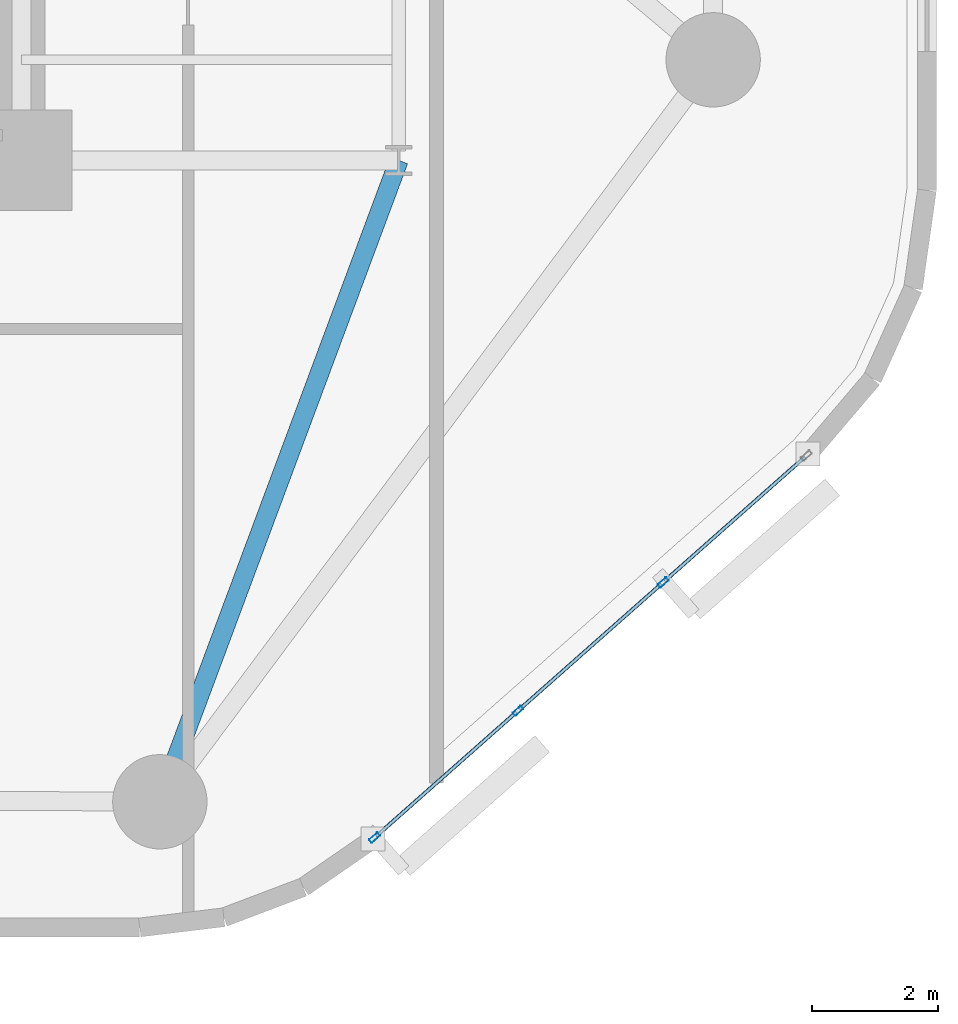
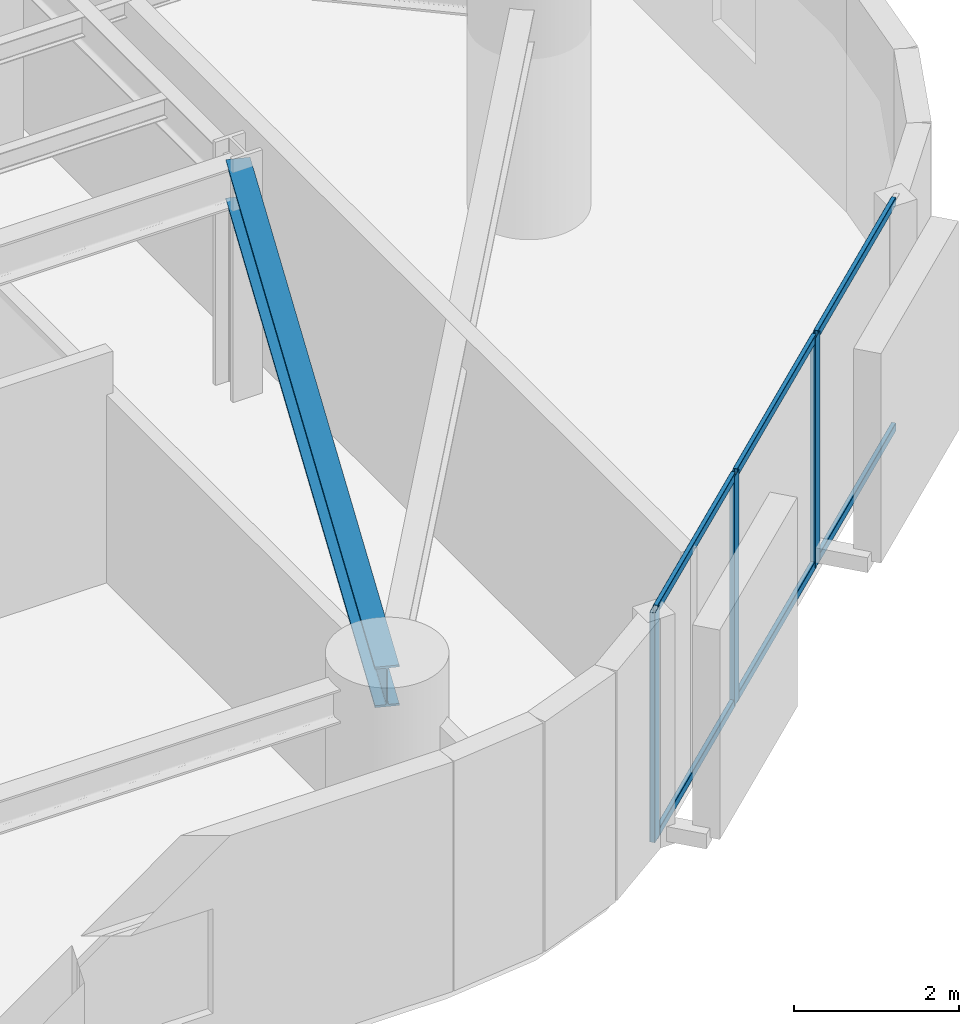
# One storey, part 2 of 17: 9 members, 1 beam, 1 element without a shape of its own.
"""IFC4 building model written with IfcOpenShell, lengths in metres."""

import ifcopenshell
import ifcopenshell.guid

model = None  # the IFC model being written
_history = None  # IfcOwnerHistory: only IFC2X3 demands one
_inside = {}  # id of a spatial element -> (the spatial element, [elements in it])
_under = {}  # id of a project, library or spatial element -> (it, [spatial elements below it])
_declared = {}  # id of a project -> (the project, [libraries it declares])
_typed = {}  # id of a type object -> (the type object, [elements of that type])
_made_of = {}  # id of a material, layer set ... -> (it, [elements and type objects made of it])


def new_model(schema):
    """Start an empty IFC model of exactly this schema.

    Asked for "IFC4X3", IfcOpenShell would pick the latest addendum, in which some entities
    have other attributes; the version numbers below select the first issue.
    IFC2X3 requires an IfcOwnerHistory on every rooted entity: one is made here for all.
    """
    global model, _history
    if schema == "IFC4X3":
        model = ifcopenshell.file(schema_version=(4, 3, 0, 0))
    else:
        model = ifcopenshell.file(schema=schema)
    _inside.clear()
    _under.clear()
    _declared.clear()
    _typed.clear()
    _made_of.clear()
    _history = None
    if model.schema == "IFC2X3":
        org = make("IfcOrganization", Name="unknown")
        user = make(
            "IfcPersonAndOrganization",
            ThePerson=make("IfcPerson", FamilyName="unknown"),
            TheOrganization=org,
        )
        app = make(
            "IfcApplication",
            ApplicationDeveloper=org,
            Version="unknown",
            ApplicationFullName="unknown",
            ApplicationIdentifier="unknown",
        )
        _history = make(
            "IfcOwnerHistory",
            OwningUser=user,
            OwningApplication=app,
            ChangeAction="ADDED",
            CreationDate=0,
        )
    return model


def make(cls, **values):
    """One entity of the class cls with the attributes given. An attribute that is None is left unset."""
    return model.create_entity(
        cls, **{name: value for name, value in values.items() if value is not None}
    )


def rooted(cls, **values):
    """An entity with a GlobalId (a new one), such as an element, a storey or a relation."""
    return make(cls, GlobalId=ifcopenshell.guid.new(), OwnerHistory=_history, **values)


def si_unit(unit_type, name, prefix=None):
    """IfcSIUnit, for example si_unit("LENGTHUNIT", "METRE", prefix="MILLI")."""
    return make("IfcSIUnit", UnitType=unit_type, Prefix=prefix, Name=name)


def assignment(units):
    """IfcUnitAssignment: the units of a project."""
    return None if units is None else make("IfcUnitAssignment", Units=units)


def point(xyz):
    """IfcCartesianPoint."""
    return None if xyz is None else make("IfcCartesianPoint", Coordinates=xyz)


def direction(xyz):
    """IfcDirection."""
    return None if xyz is None else make("IfcDirection", DirectionRatios=xyz)


def frame(location, z_axis=None, x_axis=None):
    """IfcAxis2Placement3D, a coordinate frame: its origin and axes. An axis left out is left unset."""
    return make(
        "IfcAxis2Placement3D",
        Location=point(location),
        Axis=direction(z_axis),
        RefDirection=direction(x_axis),
    )


def frame_2d(location, x_axis=None):
    """IfcAxis2Placement2D, a coordinate frame in the plane: its origin and x axis."""
    return make(
        "IfcAxis2Placement2D", Location=point(location), RefDirection=direction(x_axis)
    )


def origin():
    """The frame at (0, 0, 0) with its axes left unset."""
    return frame((0.0, 0.0, 0.0))


def origin_2d():
    """The frame at (0, 0) in the plane with its x axis left unset."""
    return frame_2d((0.0, 0.0))


def place(relative_to, where):
    """IfcLocalPlacement: puts the frame where relative to a parent placement (None: the world)."""
    return make(
        "IfcLocalPlacement", PlacementRelTo=relative_to, RelativePlacement=where
    )


def context(
    kind, dimensions, precision=None, world=None, true_north=None, identifier=None
):
    """IfcGeometricRepresentationContext, for example the 3D "Model" context."""
    return make(
        "IfcGeometricRepresentationContext",
        ContextIdentifier=identifier,
        ContextType=kind,
        CoordinateSpaceDimension=dimensions,
        Precision=precision,
        WorldCoordinateSystem=world,
        TrueNorth=true_north,
    )


def subcontext(parent, identifier, kind, view, scale=None):
    """IfcGeometricRepresentationSubContext, for example "Body" below "Model"."""
    return make(
        "IfcGeometricRepresentationSubContext",
        ContextIdentifier=identifier,
        ContextType=kind,
        ParentContext=parent,
        TargetScale=scale,
        TargetView=view,
    )


def project(units=None, contexts=None):
    """IfcProject with its units and contexts."""
    return rooted(
        "IfcProject",
        Name="project",
        RepresentationContexts=contexts,
        UnitsInContext=assignment(units),
    )


def spatial(cls, under=None, at=None, **own):
    """A site, building, storey or space (cls), placed at a placement, below another one or the project."""
    s = rooted(cls, ObjectPlacement=at, **own)
    if under is not None:
        _under.setdefault(under.id(), (under, []))[1].append(s)
    return s


def profile(cls, at=None, kind="AREA", **sizes):
    """A parametric profile (cls). Its sizes go by their IFC names, for example OverallWidth=200.0."""
    return make(cls, ProfileType=kind, Position=at, **sizes)


def hollow_rectangle(**sizes):
    """IfcRectangleHollowProfileDef."""
    return profile("IfcRectangleHollowProfileDef", **sizes)


def i_section(**sizes):
    """IfcIShapeProfileDef."""
    return profile("IfcIShapeProfileDef", **sizes)


def extrude(swept, where, along, depth):
    """IfcExtrudedAreaSolid: the profile swept, set in the frame where, extruded along a direction by depth."""
    return make(
        "IfcExtrudedAreaSolid",
        SweptArea=swept,
        Position=where,
        ExtrudedDirection=direction(along),
        Depth=depth,
    )


def shape(context_of_items, identifier, shape_type, items):
    """IfcShapeRepresentation: the items that make up one representation, for example the "Body"."""
    return make(
        "IfcShapeRepresentation",
        ContextOfItems=context_of_items,
        RepresentationIdentifier=identifier,
        RepresentationType=shape_type,
        Items=items,
    )


def material(Name=None, Category=None):
    """IfcMaterial."""
    return make("IfcMaterial", Name=Name, Category=Category)


def layer(
    of_material, thickness, ventilated=None, Name=None, Category=None, Priority=None
):
    """IfcMaterialLayer: one layer of a wall or slab, of a material (None: an air gap)."""
    return make(
        "IfcMaterialLayer",
        Material=of_material,
        LayerThickness=thickness,
        IsVentilated=ventilated,
        Name=Name,
        Category=Category,
        Priority=Priority,
    )


def layer_set(layers, Name=None):
    """IfcMaterialLayerSet."""
    return make("IfcMaterialLayerSet", MaterialLayers=layers, LayerSetName=Name)


def material_profile(
    of_material, cross_section, Name=None, Category=None, Priority=None
):
    """IfcMaterialProfile: a cross section and its material."""
    return make(
        "IfcMaterialProfile",
        Name=Name,
        Material=of_material,
        Profile=cross_section,
        Priority=Priority,
        Category=Category,
    )


def profile_set(profiles, Name=None, composite=None):
    """IfcMaterialProfileSet."""
    return make(
        "IfcMaterialProfileSet",
        Name=Name,
        MaterialProfiles=profiles,
        CompositeProfile=composite,
    )


def made_of(thing, what):
    """Note that an element or type object is made of a material, layer set ...; save() writes the relation."""
    if what is not None:
        _made_of.setdefault(what.id(), (what, []))[1].append(thing)
    return thing


def type_object(cls, material=None, **own):
    """A type object (cls), such as IfcWallType, which elements share."""
    return made_of(rooted(cls, **own), material)


def element(
    cls,
    number,
    at=None,
    inside=None,
    cuts=None,
    type_object=None,
    material=None,
    context=None,
    identifier="Body",
    shape_type=None,
    held_by="IfcProductDefinitionShape",
    body=None,
    shapes=None,
    **own,
):
    """One element of the class cls, such as IfcWall. Its Tag is "e" and its number.

    at: its placement. inside: the storey or other place that contains it. cuts: it is an
    opening in that element (IfcRelVoidsElement). A single representation is given by context,
    identifier, shape_type and body (its items); several are given by shapes. held_by: the class
    of the entity that holds the representations. save() writes the other relations.
    """
    e = rooted(cls, Tag="e%d" % number, ObjectPlacement=at, **own)
    if body is not None:
        shapes = [shape(context, identifier, shape_type, body)]
    if shapes is not None:
        e.Representation = make(held_by, Representations=shapes)
    if inside is not None:
        _inside.setdefault(inside.id(), (inside, []))[1].append(e)
    if cuts is not None:
        rooted(
            "IfcRelVoidsElement", RelatingBuildingElement=cuts, RelatedOpeningElement=e
        )
    if type_object is not None:
        _typed.setdefault(type_object.id(), (type_object, []))[1].append(e)
    return made_of(e, material)


def aggregate(whole, parts):
    """IfcRelAggregates: a whole, such as a stair, and the parts it consists of."""
    return rooted("IfcRelAggregates", RelatingObject=whole, RelatedObjects=parts)


def save(model, path):
    """Write the relations noted so far, then the file.

    IfcRelAggregates (storeys below a building ...), IfcRelContainedInSpatialStructure (elements
    in a storey), IfcRelDefinesByType, IfcRelAssociatesMaterial and IfcRelDeclares: one each for
    every whole, place, type object, material and project.
    """
    for whole, parts in _under.values():
        aggregate(whole, parts)
    for where, things in _inside.values():
        rooted(
            "IfcRelContainedInSpatialStructure",
            RelatedElements=things,
            RelatingStructure=where,
        )
    for kind, things in _typed.values():
        rooted("IfcRelDefinesByType", RelatedObjects=things, RelatingType=kind)
    for what, things in _made_of.values():
        rooted("IfcRelAssociatesMaterial", RelatedObjects=things, RelatingMaterial=what)
    for by, libraries in _declared.values():
        rooted("IfcRelDeclares", RelatingContext=by, RelatedDefinitions=libraries)
    model.write(path)


model = new_model("IFC4")

# Units and contexts
model_context = context("Model", 3, precision=1e-05, world=origin(), true_north=direction((0.0, 1.0)))
body_context = subcontext(model_context, "Body", "Model", "MODEL_VIEW")
ifc_project = project(units=[si_unit("LENGTHUNIT", "METRE"), si_unit("AREAUNIT", "SQUARE_METRE"), si_unit("VOLUMEUNIT", "CUBIC_METRE"), si_unit("PLANEANGLEUNIT", "RADIAN"), si_unit("MASSUNIT", "GRAM", prefix="KILO")], contexts=[model_context])

# Site, building, storey
site_placement = place(None, origin())
site = spatial("IfcSite", under=ifc_project, at=site_placement, CompositionType="ELEMENT")
building_placement = place(site_placement, origin())
building = spatial("IfcBuilding", under=site, at=building_placement, Name="An Khanh Terracotta Commons", CompositionType="ELEMENT")
storey_placement = place(building_placement, frame((0.0, 0.0, 36.0)))
storey = spatial("IfcBuildingStorey", under=building, at=storey_placement, Name="L09", CompositionType="ELEMENT", Elevation=36.0)

# Beam
ifc_material_1 = material(Name="Steel S355J2", Category="steel")
ifc_material_profile_1 = material_profile(ifc_material_1, i_section(OverallWidth=0.300048828125, OverallDepth=0.60009765625, WebThickness=0.015380859375, FlangeThickness=0.030029296875, FilletRadius=0.027099609375, at=origin_2d()), Name="HEB600")
ifc_profile_set_1 = profile_set([ifc_material_profile_1], Name="Steel S355J2")
beam_type = type_object("IfcBeamType", Name="BM-HEB600", PredefinedType="BEAM", material=ifc_profile_set_1)
beam_placement = place(storey_placement, frame((39.39990234375, 4.199951171875, 3.10009765625), z_axis=(0.349114429862, 0.937080100558, 0.0), x_axis=(-0.937080100558, 0.349114429862, 0.0)))
element("IfcBeam", 1, at=beam_placement, inside=storey, type_object=beam_type, Name="L09 Mega-Column Tie Girder 2", PredefinedType="BEAM", context=body_context, shape_type="SweptSolid", body=[
    extrude(i_section(OverallWidth=0.300048828125, OverallDepth=0.60009765625, WebThickness=0.015380859375, FlangeThickness=0.030029296875, FilletRadius=0.027099609375, at=origin_2d()), origin(), (0.0, 0.0, 1.0), 10.884765625),
])

# Curtain wall, members
ifc_material_2 = material(Name="Anodised Aluminium 6063-T6", Category="aluminium")
ifc_layer = layer(ifc_material_2, 0.199951171875, Name="Anodised Aluminium 6063-T6")
ifc_layer_set = layer_set([ifc_layer], Name="Anodised Aluminium 6063-T6")
curtain_wall_type = type_object("IfcCurtainWallType", Name="CW-SYS-02", PredefinedType="USERDEFINED", material=ifc_layer_set)
curtain_wall_placement = place(storey_placement, origin())
curtain_wall = element("IfcCurtainWall", 2, at=curtain_wall_placement, inside=storey, type_object=curtain_wall_type, Name="L09 CW-02 Unitised Curtain Wall CW-L09-08", ObjectType="UNITISED CURTAIN WALL", PredefinedType="USERDEFINED")
ifc_material_profile_2 = material_profile(ifc_material_2, hollow_rectangle(XDim=0.070068359375, YDim=0.179931640625, WallThickness=0.00390625, InnerFilletRadius=0.00390625, OuterFilletRadius=0.008056640625, at=origin_2d()), Name="RHS180x70x4")
ifc_profile_set_2 = profile_set([ifc_material_profile_2], Name="Anodised Aluminium 6063-T6")
member_type_1 = type_object("IfcMemberType", Name="CWM-RHS180x70x4", PredefinedType="MULLION", material=ifc_profile_set_2)
member_1_placement = place(storey_placement, frame((42.815185546875, 3.629150390625, 0.0), z_axis=(0.0, 0.0, 1.0), x_axis=(-0.662548195415, 0.749019284633, 0.0)))
member_1 = element("IfcMember", 3, at=member_1_placement, type_object=member_type_1, Name="CW-02 mullion 1", PredefinedType="MULLION", context=body_context, shape_type="SweptSolid", body=[
    extrude(hollow_rectangle(XDim=0.070068359375, YDim=0.179931640625, WallThickness=0.00390625, InnerFilletRadius=0.00390625, OuterFilletRadius=0.008056640625, at=origin_2d()), origin(), (0.0, 0.0, 1.0), 3.39990234375),
])
member_2_placement = place(storey_placement, frame((45.095947265625, 5.646728515625, 0.0), z_axis=(0.0, 0.0, 1.0), x_axis=(-0.662548195415, 0.749019284633, 0.0)))
member_2 = element("IfcMember", 4, at=member_2_placement, type_object=member_type_1, Name="CW-02 mullion 2", PredefinedType="MULLION", context=body_context, shape_type="SweptSolid", body=[
    extrude(hollow_rectangle(XDim=0.070068359375, YDim=0.179931640625, WallThickness=0.00390625, InnerFilletRadius=0.00390625, OuterFilletRadius=0.008056640625, at=origin_2d()), origin(), (0.0, 0.0, 1.0), 3.39990234375),
])
member_3_placement = place(storey_placement, frame((47.403076171875, 7.687255859375, 0.0), z_axis=(0.0, 0.0, 1.0), x_axis=(-0.662548195415, 0.749019284633, 0.0)))
member_3 = element("IfcMember", 5, at=member_3_placement, type_object=member_type_1, Name="CW-02 mullion 3", PredefinedType="MULLION", context=body_context, shape_type="SweptSolid", body=[
    extrude(hollow_rectangle(XDim=0.070068359375, YDim=0.179931640625, WallThickness=0.00390625, InnerFilletRadius=0.00390625, OuterFilletRadius=0.008056640625, at=origin_2d()), origin(), (0.0, 0.0, 1.0), 3.39990234375),
])
ifc_material_profile_3 = material_profile(ifc_material_2, hollow_rectangle(XDim=0.06005859375, YDim=0.1201171875, WallThickness=0.003662109375, InnerFilletRadius=0.003662109375, OuterFilletRadius=0.007080078125, at=origin_2d()), Name="RHS120x60x3.6")
ifc_profile_set_3 = profile_set([ifc_material_profile_3], Name="Anodised Aluminium 6063-T6")
member_type_2 = type_object("IfcMemberType", Name="CWT-RHS120x60x3.6", PredefinedType="USERDEFINED", material=ifc_profile_set_3)
member_4_placement = place(storey_placement, frame((42.841552734375, 3.65234375, 0.030029296875), z_axis=(0.74899186341, 0.662579194168, 0.0), x_axis=(-0.662579194168, 0.74899186341, 0.0)))
member_4 = element("IfcMember", 6, at=member_4_placement, type_object=member_type_2, Name="CW-02 transom 1.1", ObjectType="TRANSOM", PredefinedType="USERDEFINED", context=body_context, shape_type="SweptSolid", body=[
    extrude(hollow_rectangle(XDim=0.06005859375, YDim=0.1201171875, WallThickness=0.003662109375, InnerFilletRadius=0.003662109375, OuterFilletRadius=0.007080078125, at=origin_2d()), origin(), (0.0, 0.0, 1.0), 2.97509765625),
])
member_5_placement = place(storey_placement, frame((42.841552734375, 3.65234375, 3.3701171875), z_axis=(0.74899186341, 0.662579194168, 0.0), x_axis=(-0.662579194168, 0.74899186341, 0.0)))
member_5 = element("IfcMember", 7, at=member_5_placement, type_object=member_type_2, Name="CW-02 transom 1.2", ObjectType="TRANSOM", PredefinedType="USERDEFINED", context=body_context, shape_type="SweptSolid", body=[
    extrude(hollow_rectangle(XDim=0.06005859375, YDim=0.1201171875, WallThickness=0.003662109375, InnerFilletRadius=0.003662109375, OuterFilletRadius=0.007080078125, at=origin_2d()), origin(), (0.0, 0.0, 1.0), 2.97509765625),
])
member_6_placement = place(storey_placement, frame((45.122314453125, 5.669921875, 0.030029296875), z_axis=(0.749018237701, 0.662549378984, 0.0), x_axis=(-0.662549378984, 0.749018237701, 0.0)))
member_6 = element("IfcMember", 8, at=member_6_placement, type_object=member_type_2, Name="CW-02 transom 2.1", ObjectType="TRANSOM", PredefinedType="USERDEFINED", context=body_context, shape_type="SweptSolid", body=[
    extrude(hollow_rectangle(XDim=0.06005859375, YDim=0.1201171875, WallThickness=0.003662109375, InnerFilletRadius=0.003662109375, OuterFilletRadius=0.007080078125, at=origin_2d()), origin(), (0.0, 0.0, 1.0), 3.009765625),
])
member_7_placement = place(storey_placement, frame((45.122314453125, 5.669921875, 3.3701171875), z_axis=(0.749018237701, 0.662549378984, 0.0), x_axis=(-0.662549378984, 0.749018237701, 0.0)))
member_7 = element("IfcMember", 9, at=member_7_placement, type_object=member_type_2, Name="CW-02 transom 2.2", ObjectType="TRANSOM", PredefinedType="USERDEFINED", context=body_context, shape_type="SweptSolid", body=[
    extrude(hollow_rectangle(XDim=0.06005859375, YDim=0.1201171875, WallThickness=0.003662109375, InnerFilletRadius=0.003662109375, OuterFilletRadius=0.007080078125, at=origin_2d()), origin(), (0.0, 0.0, 1.0), 3.009765625),
])
member_8_placement = place(storey_placement, frame((47.42919921875, 7.71044921875, 0.030029296875), z_axis=(0.74899186341, 0.662579194168, 0.0), x_axis=(-0.662579194168, 0.74899186341, 0.0)))
member_8 = element("IfcMember", 10, at=member_8_placement, type_object=member_type_2, Name="CW-02 transom 3.1", ObjectType="TRANSOM", PredefinedType="USERDEFINED", context=body_context, shape_type="SweptSolid", body=[
    extrude(hollow_rectangle(XDim=0.06005859375, YDim=0.1201171875, WallThickness=0.003662109375, InnerFilletRadius=0.003662109375, OuterFilletRadius=0.007080078125, at=origin_2d()), origin(), (0.0, 0.0, 1.0), 2.97509765625),
])
member_9_placement = place(storey_placement, frame((47.42919921875, 7.71044921875, 3.3701171875), z_axis=(0.74899186341, 0.662579194168, 0.0), x_axis=(-0.662579194168, 0.74899186341, 0.0)))
member_9 = element("IfcMember", 11, at=member_9_placement, type_object=member_type_2, Name="CW-02 transom 3.2", ObjectType="TRANSOM", PredefinedType="USERDEFINED", context=body_context, shape_type="SweptSolid", body=[
    extrude(hollow_rectangle(XDim=0.06005859375, YDim=0.1201171875, WallThickness=0.003662109375, InnerFilletRadius=0.003662109375, OuterFilletRadius=0.007080078125, at=origin_2d()), origin(), (0.0, 0.0, 1.0), 2.97509765625),
])
aggregate(curtain_wall, [member_1, member_2, member_3, member_4, member_5, member_6, member_7, member_8, member_9])

save(model, "model.ifc")
